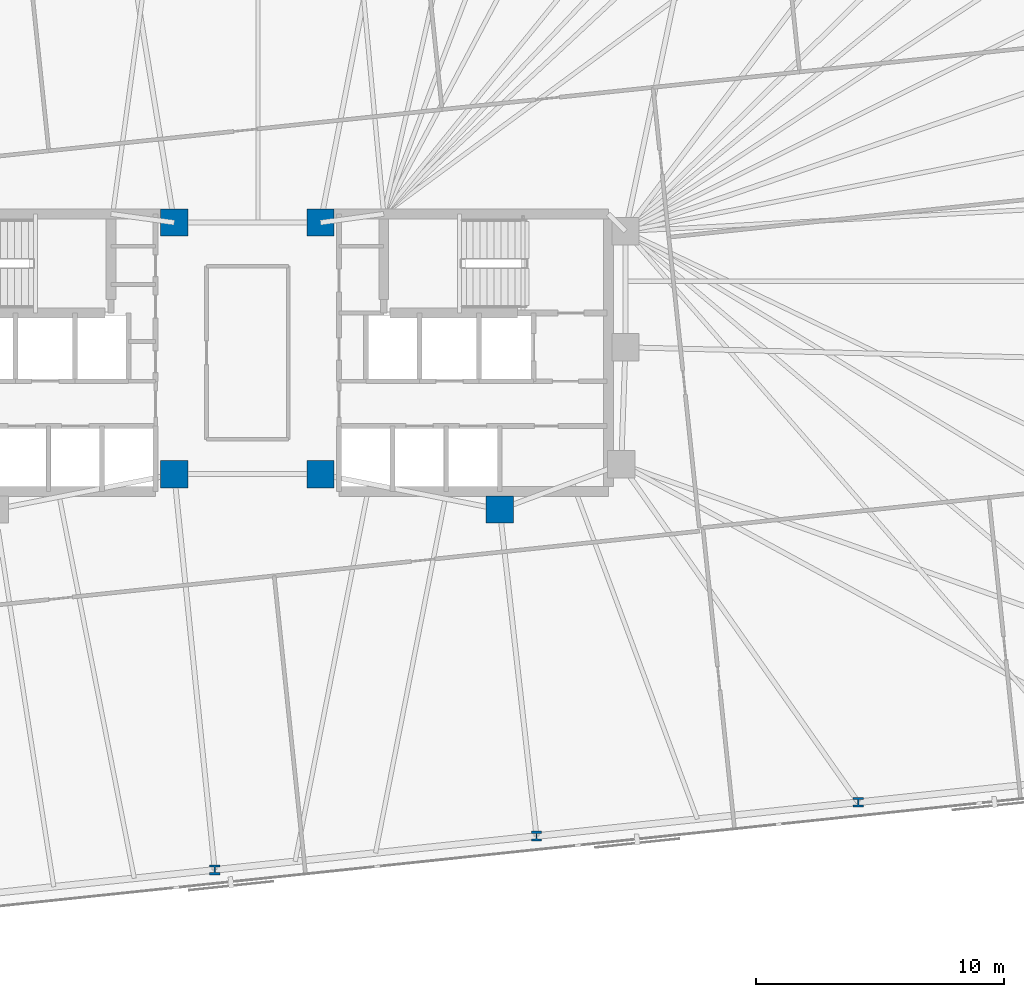
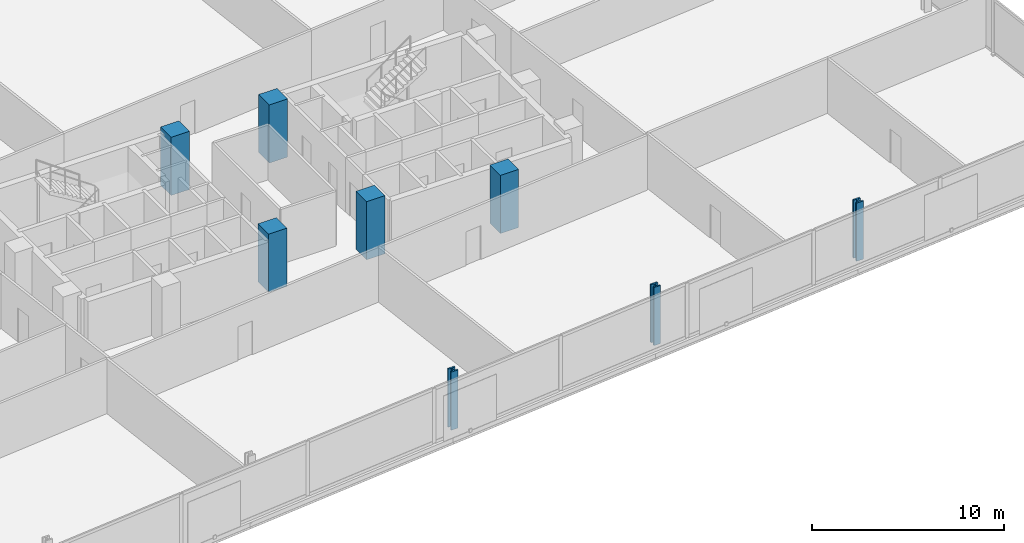
# One storey, part 3 of 18: 8 columns.
"""IFC4 building model written with IfcOpenShell, lengths in metres."""

import ifcopenshell
import ifcopenshell.guid

model = None  # the IFC model being written
_history = None  # IfcOwnerHistory: only IFC2X3 demands one
_inside = {}  # id of a spatial element -> (the spatial element, [elements in it])
_under = {}  # id of a project, library or spatial element -> (it, [spatial elements below it])
_declared = {}  # id of a project -> (the project, [libraries it declares])
_typed = {}  # id of a type object -> (the type object, [elements of that type])
_made_of = {}  # id of a material, layer set ... -> (it, [elements and type objects made of it])


def new_model(schema):
    """Start an empty IFC model of exactly this schema.

    Asked for "IFC4X3", IfcOpenShell would pick the latest addendum, in which some entities
    have other attributes; the version numbers below select the first issue.
    IFC2X3 requires an IfcOwnerHistory on every rooted entity: one is made here for all.
    """
    global model, _history
    if schema == "IFC4X3":
        model = ifcopenshell.file(schema_version=(4, 3, 0, 0))
    else:
        model = ifcopenshell.file(schema=schema)
    _inside.clear()
    _under.clear()
    _declared.clear()
    _typed.clear()
    _made_of.clear()
    _history = None
    if model.schema == "IFC2X3":
        org = make("IfcOrganization", Name="unknown")
        user = make(
            "IfcPersonAndOrganization",
            ThePerson=make("IfcPerson", FamilyName="unknown"),
            TheOrganization=org,
        )
        app = make(
            "IfcApplication",
            ApplicationDeveloper=org,
            Version="unknown",
            ApplicationFullName="unknown",
            ApplicationIdentifier="unknown",
        )
        _history = make(
            "IfcOwnerHistory",
            OwningUser=user,
            OwningApplication=app,
            ChangeAction="ADDED",
            CreationDate=0,
        )
    return model


def make(cls, **values):
    """One entity of the class cls with the attributes given. An attribute that is None is left unset."""
    return model.create_entity(
        cls, **{name: value for name, value in values.items() if value is not None}
    )


def rooted(cls, **values):
    """An entity with a GlobalId (a new one), such as an element, a storey or a relation."""
    return make(cls, GlobalId=ifcopenshell.guid.new(), OwnerHistory=_history, **values)


def si_unit(unit_type, name, prefix=None):
    """IfcSIUnit, for example si_unit("LENGTHUNIT", "METRE", prefix="MILLI")."""
    return make("IfcSIUnit", UnitType=unit_type, Prefix=prefix, Name=name)


def assignment(units):
    """IfcUnitAssignment: the units of a project."""
    return None if units is None else make("IfcUnitAssignment", Units=units)


def point(xyz):
    """IfcCartesianPoint."""
    return None if xyz is None else make("IfcCartesianPoint", Coordinates=xyz)


def direction(xyz):
    """IfcDirection."""
    return None if xyz is None else make("IfcDirection", DirectionRatios=xyz)


def frame(location, z_axis=None, x_axis=None):
    """IfcAxis2Placement3D, a coordinate frame: its origin and axes. An axis left out is left unset."""
    return make(
        "IfcAxis2Placement3D",
        Location=point(location),
        Axis=direction(z_axis),
        RefDirection=direction(x_axis),
    )


def frame_2d(location, x_axis=None):
    """IfcAxis2Placement2D, a coordinate frame in the plane: its origin and x axis."""
    return make(
        "IfcAxis2Placement2D", Location=point(location), RefDirection=direction(x_axis)
    )


def origin():
    """The frame at (0, 0, 0) with its axes left unset."""
    return frame((0.0, 0.0, 0.0))


def origin_2d():
    """The frame at (0, 0) in the plane with its x axis left unset."""
    return frame_2d((0.0, 0.0))


def place(relative_to, where):
    """IfcLocalPlacement: puts the frame where relative to a parent placement (None: the world)."""
    return make(
        "IfcLocalPlacement", PlacementRelTo=relative_to, RelativePlacement=where
    )


def context(
    kind, dimensions, precision=None, world=None, true_north=None, identifier=None
):
    """IfcGeometricRepresentationContext, for example the 3D "Model" context."""
    return make(
        "IfcGeometricRepresentationContext",
        ContextIdentifier=identifier,
        ContextType=kind,
        CoordinateSpaceDimension=dimensions,
        Precision=precision,
        WorldCoordinateSystem=world,
        TrueNorth=true_north,
    )


def subcontext(parent, identifier, kind, view, scale=None):
    """IfcGeometricRepresentationSubContext, for example "Body" below "Model"."""
    return make(
        "IfcGeometricRepresentationSubContext",
        ContextIdentifier=identifier,
        ContextType=kind,
        ParentContext=parent,
        TargetScale=scale,
        TargetView=view,
    )


def project(units=None, contexts=None):
    """IfcProject with its units and contexts."""
    return rooted(
        "IfcProject",
        Name="project",
        RepresentationContexts=contexts,
        UnitsInContext=assignment(units),
    )


def spatial(cls, under=None, at=None, **own):
    """A site, building, storey or space (cls), placed at a placement, below another one or the project."""
    s = rooted(cls, ObjectPlacement=at, **own)
    if under is not None:
        _under.setdefault(under.id(), (under, []))[1].append(s)
    return s


def profile(cls, at=None, kind="AREA", **sizes):
    """A parametric profile (cls). Its sizes go by their IFC names, for example OverallWidth=200.0."""
    return make(cls, ProfileType=kind, Position=at, **sizes)


def rectangle(**sizes):
    """IfcRectangleProfileDef."""
    return profile("IfcRectangleProfileDef", **sizes)


def i_section(**sizes):
    """IfcIShapeProfileDef."""
    return profile("IfcIShapeProfileDef", **sizes)


def extrude(swept, where, along, depth):
    """IfcExtrudedAreaSolid: the profile swept, set in the frame where, extruded along a direction by depth."""
    return make(
        "IfcExtrudedAreaSolid",
        SweptArea=swept,
        Position=where,
        ExtrudedDirection=direction(along),
        Depth=depth,
    )


def shape(context_of_items, identifier, shape_type, items):
    """IfcShapeRepresentation: the items that make up one representation, for example the "Body"."""
    return make(
        "IfcShapeRepresentation",
        ContextOfItems=context_of_items,
        RepresentationIdentifier=identifier,
        RepresentationType=shape_type,
        Items=items,
    )


def material(Name=None, Category=None):
    """IfcMaterial."""
    return make("IfcMaterial", Name=Name, Category=Category)


def material_profile(
    of_material, cross_section, Name=None, Category=None, Priority=None
):
    """IfcMaterialProfile: a cross section and its material."""
    return make(
        "IfcMaterialProfile",
        Name=Name,
        Material=of_material,
        Profile=cross_section,
        Priority=Priority,
        Category=Category,
    )


def profile_set(profiles, Name=None, composite=None):
    """IfcMaterialProfileSet."""
    return make(
        "IfcMaterialProfileSet",
        Name=Name,
        MaterialProfiles=profiles,
        CompositeProfile=composite,
    )


def made_of(thing, what):
    """Note that an element or type object is made of a material, layer set ...; save() writes the relation."""
    if what is not None:
        _made_of.setdefault(what.id(), (what, []))[1].append(thing)
    return thing


def type_object(cls, material=None, **own):
    """A type object (cls), such as IfcWallType, which elements share."""
    return made_of(rooted(cls, **own), material)


def element(
    cls,
    number,
    at=None,
    inside=None,
    cuts=None,
    type_object=None,
    material=None,
    context=None,
    identifier="Body",
    shape_type=None,
    held_by="IfcProductDefinitionShape",
    body=None,
    shapes=None,
    **own,
):
    """One element of the class cls, such as IfcWall. Its Tag is "e" and its number.

    at: its placement. inside: the storey or other place that contains it. cuts: it is an
    opening in that element (IfcRelVoidsElement). A single representation is given by context,
    identifier, shape_type and body (its items); several are given by shapes. held_by: the class
    of the entity that holds the representations. save() writes the other relations.
    """
    e = rooted(cls, Tag="e%d" % number, ObjectPlacement=at, **own)
    if body is not None:
        shapes = [shape(context, identifier, shape_type, body)]
    if shapes is not None:
        e.Representation = make(held_by, Representations=shapes)
    if inside is not None:
        _inside.setdefault(inside.id(), (inside, []))[1].append(e)
    if cuts is not None:
        rooted(
            "IfcRelVoidsElement", RelatingBuildingElement=cuts, RelatedOpeningElement=e
        )
    if type_object is not None:
        _typed.setdefault(type_object.id(), (type_object, []))[1].append(e)
    return made_of(e, material)


def aggregate(whole, parts):
    """IfcRelAggregates: a whole, such as a stair, and the parts it consists of."""
    return rooted("IfcRelAggregates", RelatingObject=whole, RelatedObjects=parts)


def save(model, path):
    """Write the relations noted so far, then the file.

    IfcRelAggregates (storeys below a building ...), IfcRelContainedInSpatialStructure (elements
    in a storey), IfcRelDefinesByType, IfcRelAssociatesMaterial and IfcRelDeclares: one each for
    every whole, place, type object, material and project.
    """
    for whole, parts in _under.values():
        aggregate(whole, parts)
    for where, things in _inside.values():
        rooted(
            "IfcRelContainedInSpatialStructure",
            RelatedElements=things,
            RelatingStructure=where,
        )
    for kind, things in _typed.values():
        rooted("IfcRelDefinesByType", RelatedObjects=things, RelatingType=kind)
    for what, things in _made_of.values():
        rooted("IfcRelAssociatesMaterial", RelatedObjects=things, RelatingMaterial=what)
    for by, libraries in _declared.values():
        rooted("IfcRelDeclares", RelatingContext=by, RelatedDefinitions=libraries)
    model.write(path)


model = new_model("IFC4")

# Units and contexts
model_context = context("Model", 3, precision=1e-05, world=origin(), true_north=direction((0.0, 1.0)))
body_context = subcontext(model_context, "Body", "Model", "MODEL_VIEW")
ifc_project = project(units=[si_unit("LENGTHUNIT", "METRE"), si_unit("AREAUNIT", "SQUARE_METRE"), si_unit("VOLUMEUNIT", "CUBIC_METRE"), si_unit("PLANEANGLEUNIT", "RADIAN"), si_unit("MASSUNIT", "GRAM", prefix="KILO")], contexts=[model_context])

# Site, building, storey
site_placement = place(None, origin())
site = spatial("IfcSite", under=ifc_project, at=site_placement, CompositionType="ELEMENT")
building_placement = place(site_placement, origin())
building = spatial("IfcBuilding", under=site, at=building_placement, Name="Menara Jurai Vektor", CompositionType="ELEMENT")
storey_placement = place(building_placement, frame((0.0, 0.0, 117.0)))
storey = spatial("IfcBuildingStorey", under=building, at=storey_placement, Name="L29", CompositionType="ELEMENT", Elevation=117.0)

# Columns
ifc_material_1 = material(Name="Concrete C50/60", Category="concrete")
ifc_material_profile_1 = material_profile(ifc_material_1, rectangle(XDim=1.10009765625, YDim=1.10009765625, at=origin_2d()), Name="RC 1100x1100")
ifc_profile_set_1 = profile_set([ifc_material_profile_1], Name="Concrete C50/60")
column_type_1 = type_object("IfcColumnType", Name="STR-COL-RC1100", PredefinedType="COLUMN", material=ifc_profile_set_1)
for number, where, z_axis, x_axis, name in (
    (1, (-2.949951171875, -4.89990234375, 0.0), (0.0, 0.0, 1.0), (1.0, 0.0, 0.0), "Core Spine Column CW-SE L29"),
    (2, (-2.949951171875, 5.25, 0.0), (0.0, 0.0, 1.0), (1.0, 0.0, 0.0), "Core Spine Column CW-NE L29"),
    (3, (10.179931640625, -6.320068359375, 0.0), (0.0, 0.0, 1.0), (1.0, 0.0, 0.0), "Core Spine Column CE-SM L29"),
    (4, (2.949951171875, -4.89990234375, 0.0), (0.0, 0.0, 1.0), (1.0, 0.0, 0.0), "Core Spine Column CE-SW L29"),
    (5, (2.949951171875, 5.25, 0.0), (0.0, 0.0, 1.0), (1.0, 0.0, 0.0), "Core Spine Column CE-NW L29"),
):
    element("IfcColumn", number, at=place(storey_placement, frame(where, z_axis=z_axis, x_axis=x_axis)), inside=storey, type_object=column_type_1, Name=name, PredefinedType="COLUMN", context=body_context, shape_type="SweptSolid", body=[
        extrude(rectangle(XDim=1.10009765625, YDim=1.10009765625, at=origin_2d()), origin(), (0.0, 0.0, 1.0), 3.699951171875),
    ])
ifc_material_2 = material(Name="Steel S460", Category="steel")
ifc_material_profile_2 = material_profile(ifc_material_2, i_section(OverallWidth=0.4130859375, OverallDepth=0.39794921875, WebThickness=0.055908203125, FlangeThickness=0.089111328125, FilletRadius=0.014892578125, at=origin_2d()), Name="HD 400x744")
ifc_profile_set_2 = profile_set([ifc_material_profile_2], Name="Steel S460")
column_type_2 = type_object("IfcColumnType", Name="STR-EXO-BLK2", PredefinedType="COLUMN", material=ifc_profile_set_2)
for number, where, z_axis, x_axis, name in (
    (6, (-1.317138671875, -20.857666015625, 0.0), (0.0, 0.0, 1.0), (1.0, 0.0, 0.0), "Exoskeleton Column BLK2-S3 L29"),
    (7, (11.66259765625, -19.49365234375, 0.0), (0.0, 0.0, 1.0), (1.0, 0.0, 0.0), "Exoskeleton Column BLK2-S4 L29"),
    (8, (24.642333984375, -18.12939453125, 0.0), (0.0, 0.0, 1.0), (1.0, 0.0, 0.0), "Exoskeleton Column BLK2-S5 L29"),
):
    element("IfcColumn", number, at=place(storey_placement, frame(where, z_axis=z_axis, x_axis=x_axis)), inside=storey, type_object=column_type_2, Name=name, PredefinedType="COLUMN", context=body_context, shape_type="SweptSolid", body=[
        extrude(i_section(OverallWidth=0.4130859375, OverallDepth=0.39794921875, WebThickness=0.055908203125, FlangeThickness=0.089111328125, FilletRadius=0.014892578125, at=origin_2d()), origin(), (0.0, 0.0, 1.0), 3.699951171875),
    ])

save(model, "model.ifc")
